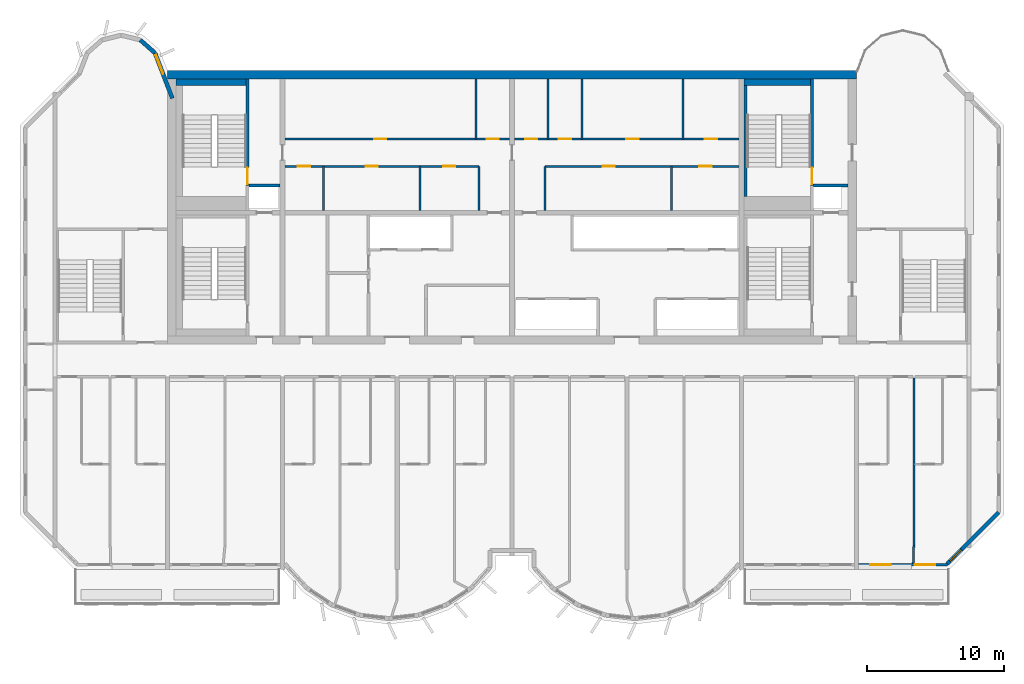
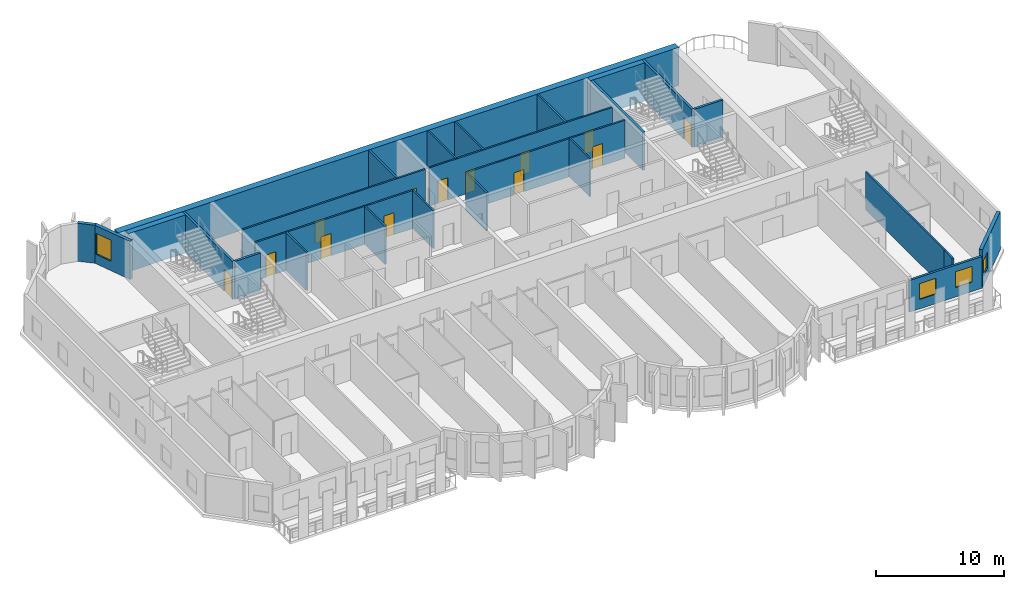
# One storey, part 7 of 12: 27 walls, 13 doors, 4 windows, 17 openings.
"""IFC4 building model written with IfcOpenShell, lengths in metres."""

from ifc_helpers import new_model, si_unit, direction, frame, frame_2d, origin, place, context, subcontext, project, spatial, rectangle, extrude, source, transform, mapped, material, layer, layer_set, type_object, element, fill, save


model = new_model("IFC4")

# Units and contexts
model_context = context("Model", 3, precision=1e-05, world=origin(), true_north=direction((0.0, 1.0)))
body_context = subcontext(model_context, "Body", "Model", "MODEL_VIEW")
ifc_project = project(units=[si_unit("LENGTHUNIT", "METRE"), si_unit("AREAUNIT", "SQUARE_METRE"), si_unit("VOLUMEUNIT", "CUBIC_METRE"), si_unit("PLANEANGLEUNIT", "RADIAN"), si_unit("MASSUNIT", "GRAM", prefix="KILO")], contexts=[model_context])

# Site, building, storey
site_placement = place(None, origin())
site = spatial("IfcSite", under=ifc_project, at=site_placement, CompositionType="ELEMENT")
building_placement = place(site_placement, origin())
building = spatial("IfcBuilding", under=site, at=building_placement, Name="Vanashikhar Sky Hotel", CompositionType="ELEMENT")
storey_placement = place(building_placement, frame((0.0, 0.0, 237.39990234375)))
storey = spatial("IfcBuildingStorey", under=building, at=storey_placement, Name="L57", CompositionType="ELEMENT", Elevation=237.39990234375)

# Wall
ifc_material_1 = material(Name="Concrete M60", Category="concrete")
ifc_layer_1 = layer(ifc_material_1, 0.60009765625)
ifc_layer_set_1 = layer_set([ifc_layer_1], Name="RC core shell wall 600 Concrete M60")
wall_type_1 = type_object("IfcWallType", Name="RC core shell wall 600 Concrete M60", PredefinedType="SHEAR", material=ifc_layer_set_1)
shared_shape_1 = source(origin(), body_context, "Body", "SweptSolid", [
    extrude(rectangle(XDim=50.400146484375, YDim=0.60009765625, at=frame_2d((25.2001953125, 0.0))), origin(), (0.0, 0.0, 1.0), 3.6201171875),
])
wall_1_placement = place(storey_placement, frame((25.199951171875, 41.699951171875, 0.0), z_axis=(0.0, 0.0, 1.0), x_axis=(1.0, 0.0, 0.0)))
element("IfcWall", 1, at=wall_1_placement, inside=storey, type_object=wall_type_1, Name="KW-L57-KN", PredefinedType="SHEAR", context=body_context, shape_type="MappedRepresentation", body=[
    mapped(shared_shape_1, transform((0.0, 0.0, 0.0), scale=1.0)),
])

# Wall, openings, windows
ifc_material_2 = material(Name="Concrete M50", Category="concrete")
ifc_layer_2 = layer(ifc_material_2, 0.199951171875)
ifc_layer_set_2 = layer_set([ifc_layer_2], Name="Front window wall 200")
wall_type_2 = type_object("IfcWallType", Name="Front window wall 200", PredefinedType="SOLIDWALL", material=ifc_layer_set_2)
shared_shape_2 = source(origin(), body_context, "Body", "SweptSolid", [
    extrude(rectangle(XDim=6.5048828125, YDim=0.199951171875, at=frame_2d((3.25244140625, 0.0))), origin(), (0.0, 0.0, 1.0), 3.02001953125),
])
wall_2_placement = place(storey_placement, frame((75.75, 5.85009765625, 0.0), z_axis=(0.0, 0.0, 1.0), x_axis=(1.0, 0.0, 0.0)))
wall_2 = element("IfcWall", 2, at=wall_2_placement, inside=storey, type_object=wall_type_2, Name="Front window wall", PredefinedType="SOLIDWALL", context=body_context, shape_type="MappedRepresentation", body=[
    mapped(shared_shape_2, transform((0.0, 0.0, 0.0), scale=1.0)),
])
shared_shape_3 = source(origin(), body_context, "Body", "SweptSolid", [
    extrude(rectangle(XDim=1.5, YDim=1.5, at=frame_2d((0.75, 0.75))), frame((0.0, 0.10986328125, 0.0), z_axis=(0.0, -1.0, 0.0), x_axis=(1.0, 0.0, 0.0)), (0.0, 0.0, 1.0), 0.219970703125),
])
opening_1_placement = place(wall_2_placement, frame((0.876220703125, 0.0, 0.89990234375)))
opening_1 = element("IfcOpeningElement", 3, at=opening_1_placement, cuts=wall_2, Name="Opening WN-1", PredefinedType="OPENING", context=body_context, shape_type="MappedRepresentation", body=[
    mapped(shared_shape_3, transform((0.0, 0.0, 0.0), scale=1.0)),
])
opening_2_placement = place(wall_2_placement, frame((4.128662109375, 0.0, 0.89990234375)))
opening_2 = element("IfcOpeningElement", 4, at=opening_2_placement, cuts=wall_2, Name="Opening WN-1", PredefinedType="OPENING", context=body_context, shape_type="MappedRepresentation", body=[
    mapped(shared_shape_3, transform((0.0, 0.0, 0.0), scale=1.0)),
])
ifc_material_3 = material(Name="Glass", Category="glass")
window_type_1 = type_object("IfcWindowType", Name="Window 1500 x 1500", PartitioningType="SINGLE_PANEL", PredefinedType="WINDOW", material=ifc_material_3)
shared_shape_4 = source(origin(), body_context, "Body", "SweptSolid", [
    extrude(rectangle(XDim=1.5, YDim=1.5, at=frame_2d((0.75, 0.75))), frame((0.0, 0.030029296875, 0.0), z_axis=(0.0, -1.0, 0.0), x_axis=(1.0, 0.0, 0.0)), (0.0, 0.0, 1.0), 0.06005859375),
])
window_1_placement = place(opening_1_placement, origin())
window_1 = element("IfcWindow", 5, at=window_1_placement, inside=storey, type_object=window_type_1, Name="Window WN-1", OverallHeight=1.5, OverallWidth=1.5, PartitioningType="SINGLE_PANEL", PredefinedType="WINDOW", context=body_context, shape_type="MappedRepresentation", body=[
    mapped(shared_shape_4, transform((0.0, 0.0, 0.0), scale=1.0)),
])
fill(opening_1, window_1)
window_2_placement = place(opening_2_placement, origin())
window_2 = element("IfcWindow", 6, at=window_2_placement, inside=storey, type_object=window_type_1, Name="Window WN-1", OverallHeight=1.5, OverallWidth=1.5, PartitioningType="SINGLE_PANEL", PredefinedType="WINDOW", context=body_context, shape_type="MappedRepresentation", body=[
    mapped(shared_shape_4, transform((0.0, 0.0, 0.0), scale=1.0)),
])
fill(opening_2, window_2)

# Wall, opening, window
ifc_layer_3 = layer(ifc_material_2, 0.300048828125)
ifc_layer_set_3 = layer_set([ifc_layer_3], Name="Lobe wall 300")
wall_type_3 = type_object("IfcWallType", Name="Lobe wall 300", PredefinedType="SOLIDWALL", material=ifc_layer_set_3)
shared_shape_5 = source(origin(), body_context, "Body", "SweptSolid", [
    extrude(rectangle(XDim=5.32568359375, YDim=0.300048828125, at=frame_2d((2.662841796875, 0.0))), origin(), (0.0, 0.0, 1.0), 3.6201171875),
])
wall_3_placement = place(storey_placement, frame((82.234375, 5.89990234375, 0.0), z_axis=(0.0, 0.0, 1.0), x_axis=(0.707083859269, 0.707129702361, 0.0)))
wall_3 = element("IfcWall", 7, at=wall_3_placement, inside=storey, type_object=wall_type_3, Name="Corner wall", PredefinedType="SOLIDWALL", context=body_context, shape_type="MappedRepresentation", body=[
    mapped(shared_shape_5, transform((0.0, 0.0, 0.0), scale=1.0)),
])
shared_shape_6 = source(origin(), body_context, "Body", "SweptSolid", [
    extrude(rectangle(XDim=1.199951171875, YDim=1.5, at=frame_2d((0.60009765625, 0.75))), frame((0.0, 0.16015625, 0.0), z_axis=(0.0, -1.0, 0.0), x_axis=(1.0, 0.0, 0.0)), (0.0, 0.0, 1.0), 0.320068359375),
])
opening_3_placement = place(wall_3_placement, frame((0.29248046875, 0.0, 0.89990234375)))
opening_3 = element("IfcOpeningElement", 8, at=opening_3_placement, cuts=wall_3, Name="Opening WN-3", PredefinedType="OPENING", context=body_context, shape_type="MappedRepresentation", body=[
    mapped(shared_shape_6, transform((0.0, 0.0, 0.0), scale=1.0)),
])
window_type_2 = type_object("IfcWindowType", Name="Corridor end window 1200 x 1500", PartitioningType="SINGLE_PANEL", PredefinedType="WINDOW", material=ifc_material_3)
shared_shape_7 = source(origin(), body_context, "Body", "SweptSolid", [
    extrude(rectangle(XDim=1.199951171875, YDim=1.5, at=frame_2d((0.60009765625, 0.75))), frame((0.0, 0.030029296875, 0.0), z_axis=(0.0, -1.0, 0.0), x_axis=(1.0, 0.0, 0.0)), (0.0, 0.0, 1.0), 0.06005859375),
])
window_3_placement = place(opening_3_placement, origin())
window_3 = element("IfcWindow", 9, at=window_3_placement, inside=storey, type_object=window_type_2, Name="Window WN-3", OverallHeight=1.5, OverallWidth=1.199951171875, PartitioningType="SINGLE_PANEL", PredefinedType="WINDOW", context=body_context, shape_type="MappedRepresentation", body=[
    mapped(shared_shape_7, transform((0.0, 0.0, 0.0), scale=1.0)),
])
fill(opening_3, window_3)

shared_shape_8 = source(origin(), body_context, "Body", "SweptSolid", [
    extrude(rectangle(XDim=3.55908203125, YDim=0.300048828125, at=frame_2d((1.779541015625, 0.0))), origin(), (0.0, 0.0, 1.0), 3.6201171875),
])
wall_4_placement = place(storey_placement, frame((25.550048828125, 39.968505859375, 0.0), z_axis=(0.0, 0.0, 1.0), x_axis=(-0.35779745313, 0.933799219604, 0.0)))
wall_4 = element("IfcWall", 10, at=wall_4_placement, inside=storey, type_object=wall_type_3, Name="Lobe wall", PredefinedType="SOLIDWALL", context=body_context, shape_type="MappedRepresentation", body=[
    mapped(shared_shape_8, transform((0.0, 0.0, 0.0), scale=1.0)),
])
shared_shape_9 = source(origin(), body_context, "Body", "SweptSolid", [
    extrude(rectangle(XDim=1.5, YDim=2.0, at=frame_2d((0.75, 1.0))), frame((0.0, 0.16015625, 0.0), z_axis=(0.0, -1.0, 0.0), x_axis=(1.0, 0.0, 0.0)), (0.0, 0.0, 1.0), 0.320068359375),
])
opening_4_placement = place(wall_4_placement, frame((1.9033203125, 0.0, 0.89990234375)))
opening_4 = element("IfcOpeningElement", 11, at=opening_4_placement, cuts=wall_4, Name="Opening WN-2", PredefinedType="OPENING", context=body_context, shape_type="MappedRepresentation", body=[
    mapped(shared_shape_9, transform((0.0, 0.0, 0.0), scale=1.0)),
])
window_type_3 = type_object("IfcWindowType", Name="Lobe window 1500 x 2000", PartitioningType="SINGLE_PANEL", PredefinedType="WINDOW", material=ifc_material_3)
shared_shape_10 = source(origin(), body_context, "Body", "SweptSolid", [
    extrude(rectangle(XDim=1.5, YDim=2.0, at=frame_2d((0.75, 1.0))), frame((0.0, 0.030029296875, 0.0), z_axis=(0.0, -1.0, 0.0), x_axis=(1.0, 0.0, 0.0)), (0.0, 0.0, 1.0), 0.06005859375),
])
window_4_placement = place(opening_4_placement, origin())
window_4 = element("IfcWindow", 12, at=window_4_placement, inside=storey, type_object=window_type_3, Name="Window WN-2", OverallHeight=2.0, OverallWidth=1.5, PartitioningType="SINGLE_PANEL", PredefinedType="WINDOW", context=body_context, shape_type="MappedRepresentation", body=[
    mapped(shared_shape_10, transform((0.0, 0.0, 0.0), scale=1.0)),
])
fill(opening_4, window_4)

# Walls
shared_shape_11 = source(origin(), body_context, "Body", "SweptSolid", [
    extrude(rectangle(XDim=1.440185546875, YDim=0.300048828125, at=frame_2d((0.72021484375, 0.0))), origin(), (0.0, 0.0, 1.0), 3.6201171875),
])
wall_5_placement = place(storey_placement, frame((24.276611328125, 43.2919921875, 0.0), z_axis=(0.0, 0.0, 1.0), x_axis=(-0.749649827867, 0.661834673902, 0.0)))
element("IfcWall", 13, at=wall_5_placement, inside=storey, type_object=wall_type_3, Name="Lobe wall", PredefinedType="SOLIDWALL", context=body_context, shape_type="MappedRepresentation", body=[
    mapped(shared_shape_11, transform((0.0, 0.0, 0.0), scale=1.0)),
])
ifc_material_4 = material(Name="Gypsum board partition")
ifc_layer_4 = layer(ifc_material_4, 0.14990234375)
ifc_layer_set_4 = layer_set([ifc_layer_4], Name="Service partition 150")
wall_type_4 = type_object("IfcWallType", Name="Service partition 150", PredefinedType="PARTITIONING", material=ifc_layer_set_4)
shared_shape_12 = source(origin(), body_context, "Body", "SweptSolid", [
    extrude(rectangle(XDim=3.22509765625, YDim=0.14990234375, at=frame_2d((1.612548828125, 0.0))), origin(), (0.0, 0.0, 1.0), 3.6201171875),
])
for number, where, z_axis, x_axis, name in (
    (14, (48.0, 31.77490234375, 0.0), (0.0, 0.0, 1.0), (0.0, 1.0, 0.0), "Service partition 150"),
    (15, (36.60498046875, 31.77490234375, 0.0), (0.0, 0.0, 1.0), (0.0, 1.0, 0.0), "Service partition 150"),
    (16, (43.679931640625, 31.77490234375, 0.0), (0.0, 0.0, 1.0), (0.0, 1.0, 0.0), "Service partition 150"),
    (17, (52.800048828125, 31.77490234375, 0.0), (0.0, 0.0, 1.0), (0.0, 1.0, 0.0), "Service partition 150"),
    (18, (62.072021484375, 31.77490234375, 0.0), (0.0, 0.0, 1.0), (0.0, 1.0, 0.0), "Service partition 150"),
):
    element("IfcWall", number, at=place(storey_placement, frame(where, z_axis=z_axis, x_axis=x_axis)), inside=storey, type_object=wall_type_4, Name=name, PredefinedType="PARTITIONING", context=body_context, shape_type="MappedRepresentation", body=[
        mapped(shared_shape_12, transform((0.0, 0.0, 0.0), scale=1.0)),
    ])

# Wall, openings, doors
shared_shape_13 = source(origin(), body_context, "Body", "SweptSolid", [
    extrude(rectangle(XDim=14.22509765625, YDim=0.14990234375, at=frame_2d((7.112548828125, 0.0))), origin(), (0.0, 0.0, 1.0), 3.6201171875),
])
wall_6_placement = place(storey_placement, frame((33.77490234375, 35.0, 0.0), z_axis=(0.0, 0.0, 1.0), x_axis=(1.0, 0.0, 0.0)))
wall_6 = element("IfcWall", 19, at=wall_6_placement, inside=storey, type_object=wall_type_4, Name="Service partition 150", PredefinedType="PARTITIONING", context=body_context, shape_type="MappedRepresentation", body=[
    mapped(shared_shape_13, transform((0.0, 0.0, 0.0), scale=1.0)),
])
shared_shape_14 = source(origin(), body_context, "Body", "SweptSolid", [
    extrude(rectangle(XDim=0.89990234375, YDim=2.10009765625, at=frame_2d((0.449951171875, 1.050048828125))), frame((0.0, 0.0849609375, 0.0), z_axis=(0.0, -1.0, 0.0), x_axis=(1.0, 0.0, 0.0)), (0.0, 0.0, 1.0), 0.169921875),
])
opening_5_placement = place(wall_6_placement, frame((0.965087890625, 0.0, 0.0)))
opening_5 = element("IfcOpeningElement", 20, at=opening_5_placement, cuts=wall_6, Name="Opening DC-4-A", PredefinedType="OPENING", context=body_context, shape_type="MappedRepresentation", body=[
    mapped(shared_shape_14, transform((0.0, 0.0, 0.0), scale=1.0)),
])
opening_6_placement = place(wall_6_placement, frame((5.9169921875, 0.0, 0.0)))
opening_6 = element("IfcOpeningElement", 21, at=opening_6_placement, cuts=wall_6, Name="Opening DC-4-A", PredefinedType="OPENING", context=body_context, shape_type="MappedRepresentation", body=[
    mapped(shared_shape_14, transform((0.0, 0.0, 0.0), scale=1.0)),
])
opening_7_placement = place(wall_6_placement, frame((11.576904296875, 0.0, 0.0)))
opening_7 = element("IfcOpeningElement", 22, at=opening_7_placement, cuts=wall_6, Name="Opening DC-4-A", PredefinedType="OPENING", context=body_context, shape_type="MappedRepresentation", body=[
    mapped(shared_shape_14, transform((0.0, 0.0, 0.0), scale=1.0)),
])
ifc_material_5 = material(Name="Steel", Category="steel")
door_type_1 = type_object("IfcDoorType", Name="Service door 900 FD60", OperationType="NOTDEFINED", PredefinedType="DOOR", material=ifc_material_5)
shared_shape_15 = source(origin(), body_context, "Body", "SweptSolid", [
    extrude(rectangle(XDim=0.89990234375, YDim=2.10009765625, at=frame_2d((0.449951171875, 1.050048828125))), frame((0.0, 0.02490234375, 0.0), z_axis=(0.0, -1.0, 0.0), x_axis=(1.0, 0.0, 0.0)), (0.0, 0.0, 1.0), 0.050048828125),
])
door_1_placement = place(opening_5_placement, origin())
door_1 = element("IfcDoor", 23, at=door_1_placement, inside=storey, type_object=door_type_1, Name="Service door 900 FD60", OperationType="SINGLE_SWING_LEFT", OverallHeight=2.10009765625, OverallWidth=0.89990234375, PredefinedType="DOOR", context=body_context, shape_type="MappedRepresentation", body=[
    mapped(shared_shape_15, transform((0.0, 0.0, 0.0), scale=1.0)),
])
fill(opening_5, door_1)
door_2_placement = place(opening_6_placement, origin())
door_2 = element("IfcDoor", 24, at=door_2_placement, inside=storey, type_object=door_type_1, Name="Service door 900 FD60", OperationType="SINGLE_SWING_LEFT", OverallHeight=2.10009765625, OverallWidth=0.89990234375, PredefinedType="DOOR", context=body_context, shape_type="MappedRepresentation", body=[
    mapped(shared_shape_15, transform((0.0, 0.0, 0.0), scale=1.0)),
])
fill(opening_6, door_2)
door_3_placement = place(opening_7_placement, origin())
door_3 = element("IfcDoor", 25, at=door_3_placement, inside=storey, type_object=door_type_1, Name="Service door 900 FD60", OperationType="SINGLE_SWING_LEFT", OverallHeight=2.10009765625, OverallWidth=0.89990234375, PredefinedType="DOOR", context=body_context, shape_type="MappedRepresentation", body=[
    mapped(shared_shape_15, transform((0.0, 0.0, 0.0), scale=1.0)),
])
fill(opening_7, door_3)

shared_shape_16 = source(origin(), body_context, "Body", "SweptSolid", [
    extrude(rectangle(XDim=16.4501953125, YDim=0.14990234375, at=frame_2d((8.22509765625, 0.0))), origin(), (0.0, 0.0, 1.0), 3.6201171875),
])
wall_7_placement = place(storey_placement, frame((33.77490234375, 37.0, 0.0), z_axis=(0.0, 0.0, 1.0), x_axis=(1.0, 0.0, 0.0)))
wall_7 = element("IfcWall", 26, at=wall_7_placement, inside=storey, type_object=wall_type_4, Name="Service partition 150", PredefinedType="PARTITIONING", context=body_context, shape_type="MappedRepresentation", body=[
    mapped(shared_shape_16, transform((0.0, 0.0, 0.0), scale=1.0)),
])
opening_8_placement = place(wall_7_placement, frame((6.541015625, 0.0, 0.0)))
opening_8 = element("IfcOpeningElement", 27, at=opening_8_placement, cuts=wall_7, Name="Opening DC-4-A", PredefinedType="OPENING", context=body_context, shape_type="MappedRepresentation", body=[
    mapped(shared_shape_14, transform((0.0, 0.0, 0.0), scale=1.0)),
])
opening_9_placement = place(wall_7_placement, frame((14.76611328125, 0.0, 0.0)))
opening_9 = element("IfcOpeningElement", 28, at=opening_9_placement, cuts=wall_7, Name="Opening DC-4-A", PredefinedType="OPENING", context=body_context, shape_type="MappedRepresentation", body=[
    mapped(shared_shape_14, transform((0.0, 0.0, 0.0), scale=1.0)),
])
door_4_placement = place(opening_8_placement, origin())
door_4 = element("IfcDoor", 29, at=door_4_placement, inside=storey, type_object=door_type_1, Name="Service door 900 FD60", OperationType="SINGLE_SWING_RIGHT", OverallHeight=2.10009765625, OverallWidth=0.89990234375, PredefinedType="DOOR", context=body_context, shape_type="MappedRepresentation", body=[
    mapped(shared_shape_15, transform((0.0, 0.0, 0.0), scale=1.0)),
])
fill(opening_8, door_4)
door_5_placement = place(opening_9_placement, origin())
door_5 = element("IfcDoor", 30, at=door_5_placement, inside=storey, type_object=door_type_1, Name="Service door 900 FD60", OperationType="SINGLE_SWING_LEFT", OverallHeight=2.10009765625, OverallWidth=0.89990234375, PredefinedType="DOOR", context=body_context, shape_type="MappedRepresentation", body=[
    mapped(shared_shape_15, transform((0.0, 0.0, 0.0), scale=1.0)),
])
fill(opening_9, door_5)

# Walls
shared_shape_17 = source(origin(), body_context, "Body", "SweptSolid", [
    extrude(rectangle(XDim=4.39990234375, YDim=0.14990234375, at=frame_2d((2.199951171875, 0.0))), origin(), (0.0, 0.0, 1.0), 3.6201171875),
])
for number, where, z_axis, x_axis, name in (
    (31, (47.758056640625, 37.0, 0.0), (0.0, 0.0, 1.0), (0.0, 1.0, 0.0), "Service partition 150"),
    (32, (62.912109375, 37.0, 0.0), (0.0, 0.0, 1.0), (0.0, 1.0, 0.0), "Service partition 150"),
    (33, (55.510009765625, 37.0, 0.0), (0.0, 0.0, 1.0), (0.0, 1.0, 0.0), "Service partition 150"),
    (34, (53.0419921875, 37.0, 0.0), (0.0, 0.0, 1.0), (0.0, 1.0, 0.0), "Service partition 150"),
):
    element("IfcWall", number, at=place(storey_placement, frame(where, z_axis=z_axis, x_axis=x_axis)), inside=storey, type_object=wall_type_4, Name=name, PredefinedType="PARTITIONING", context=body_context, shape_type="MappedRepresentation", body=[
        mapped(shared_shape_17, transform((0.0, 0.0, 0.0), scale=1.0)),
    ])

# Wall, openings, doors
shared_shape_18 = source(origin(), body_context, "Body", "SweptSolid", [
    extrude(rectangle(XDim=14.224853515625, YDim=0.14990234375, at=frame_2d((7.1123046875, 0.0))), origin(), (0.0, 0.0, 1.0), 3.6201171875),
])
wall_8_placement = place(storey_placement, frame((67.02490234375, 35.0, 0.0), z_axis=(0.0, 0.0, 1.0), x_axis=(-1.0, 0.0, 0.0)))
wall_8 = element("IfcWall", 35, at=wall_8_placement, inside=storey, type_object=wall_type_4, Name="Service partition 150", PredefinedType="PARTITIONING", context=body_context, shape_type="MappedRepresentation", body=[
    mapped(shared_shape_18, transform((0.0, 0.0, 0.0), scale=1.0)),
])
opening_10_placement = place(wall_8_placement, frame((2.02587890625, 0.0, 0.0)))
opening_10 = element("IfcOpeningElement", 36, at=opening_10_placement, cuts=wall_8, Name="Opening DC-4-A", PredefinedType="OPENING", context=body_context, shape_type="MappedRepresentation", body=[
    mapped(shared_shape_14, transform((0.0, 0.0, 0.0), scale=1.0)),
])
opening_11_placement = place(wall_8_placement, frame((9.10107421875, 0.0, 0.0)))
opening_11 = element("IfcOpeningElement", 37, at=opening_11_placement, cuts=wall_8, Name="Opening DC-4-A", PredefinedType="OPENING", context=body_context, shape_type="MappedRepresentation", body=[
    mapped(shared_shape_14, transform((0.0, 0.0, 0.0), scale=1.0)),
])
door_6_placement = place(opening_10_placement, origin())
door_6 = element("IfcDoor", 38, at=door_6_placement, inside=storey, type_object=door_type_1, Name="Service door 900 FD60", OperationType="SINGLE_SWING_LEFT", OverallHeight=2.10009765625, OverallWidth=0.89990234375, PredefinedType="DOOR", context=body_context, shape_type="MappedRepresentation", body=[
    mapped(shared_shape_15, transform((0.0, 0.0, 0.0), scale=1.0)),
])
fill(opening_10, door_6)
door_7_placement = place(opening_11_placement, origin())
door_7 = element("IfcDoor", 39, at=door_7_placement, inside=storey, type_object=door_type_1, Name="Service door 900 FD60", OperationType="SINGLE_SWING_RIGHT", OverallHeight=2.10009765625, OverallWidth=0.89990234375, PredefinedType="DOOR", context=body_context, shape_type="MappedRepresentation", body=[
    mapped(shared_shape_15, transform((0.0, 0.0, 0.0), scale=1.0)),
])
fill(opening_11, door_7)

shared_shape_19 = source(origin(), body_context, "Body", "SweptSolid", [
    extrude(rectangle(XDim=16.449951171875, YDim=0.14990234375, at=frame_2d((8.22509765625, 0.0))), origin(), (0.0, 0.0, 1.0), 3.6201171875),
])
wall_9_placement = place(storey_placement, frame((67.02490234375, 37.0, 0.0), z_axis=(0.0, 0.0, 1.0), x_axis=(-1.0, 0.0, 0.0)))
wall_9 = element("IfcWall", 40, at=wall_9_placement, inside=storey, type_object=wall_type_4, Name="Service partition 150", PredefinedType="PARTITIONING", context=body_context, shape_type="MappedRepresentation", body=[
    mapped(shared_shape_19, transform((0.0, 0.0, 0.0), scale=1.0)),
])
opening_12_placement = place(wall_9_placement, frame((1.60595703125, 0.0, 0.0)))
opening_12 = element("IfcOpeningElement", 41, at=opening_12_placement, cuts=wall_9, Name="Opening DC-4-A", PredefinedType="OPENING", context=body_context, shape_type="MappedRepresentation", body=[
    mapped(shared_shape_14, transform((0.0, 0.0, 0.0), scale=1.0)),
])
opening_13_placement = place(wall_9_placement, frame((7.364013671875, 0.0, 0.0)))
opening_13 = element("IfcOpeningElement", 42, at=opening_13_placement, cuts=wall_9, Name="Opening DC-4-A", PredefinedType="OPENING", context=body_context, shape_type="MappedRepresentation", body=[
    mapped(shared_shape_14, transform((0.0, 0.0, 0.0), scale=1.0)),
])
opening_14_placement = place(wall_9_placement, frame((12.299072265625, 0.0, 0.0)))
opening_14 = element("IfcOpeningElement", 43, at=opening_14_placement, cuts=wall_9, Name="Opening DC-4-A", PredefinedType="OPENING", context=body_context, shape_type="MappedRepresentation", body=[
    mapped(shared_shape_14, transform((0.0, 0.0, 0.0), scale=1.0)),
])
opening_15_placement = place(wall_9_placement, frame((14.76611328125, 0.0, 0.0)))
opening_15 = element("IfcOpeningElement", 44, at=opening_15_placement, cuts=wall_9, Name="Opening DC-4-A", PredefinedType="OPENING", context=body_context, shape_type="MappedRepresentation", body=[
    mapped(shared_shape_14, transform((0.0, 0.0, 0.0), scale=1.0)),
])
door_8_placement = place(opening_12_placement, origin())
door_8 = element("IfcDoor", 45, at=door_8_placement, inside=storey, type_object=door_type_1, Name="Service door 900 FD60", OperationType="SINGLE_SWING_RIGHT", OverallHeight=2.10009765625, OverallWidth=0.89990234375, PredefinedType="DOOR", context=body_context, shape_type="MappedRepresentation", body=[
    mapped(shared_shape_15, transform((0.0, 0.0, 0.0), scale=1.0)),
])
fill(opening_12, door_8)
door_9_placement = place(opening_13_placement, origin())
door_9 = element("IfcDoor", 46, at=door_9_placement, inside=storey, type_object=door_type_1, Name="Service door 900 FD60", OperationType="SINGLE_SWING_LEFT", OverallHeight=2.10009765625, OverallWidth=0.89990234375, PredefinedType="DOOR", context=body_context, shape_type="MappedRepresentation", body=[
    mapped(shared_shape_15, transform((0.0, 0.0, 0.0), scale=1.0)),
])
fill(opening_13, door_9)
door_10_placement = place(opening_14_placement, origin())
door_10 = element("IfcDoor", 47, at=door_10_placement, inside=storey, type_object=door_type_1, Name="Service door 900 FD60", OperationType="SINGLE_SWING_LEFT", OverallHeight=2.10009765625, OverallWidth=0.89990234375, PredefinedType="DOOR", context=body_context, shape_type="MappedRepresentation", body=[
    mapped(shared_shape_15, transform((0.0, 0.0, 0.0), scale=1.0)),
])
fill(opening_14, door_10)
door_11_placement = place(opening_15_placement, origin())
door_11 = element("IfcDoor", 48, at=door_11_placement, inside=storey, type_object=door_type_1, Name="Service door 900 FD60", OperationType="SINGLE_SWING_LEFT", OverallHeight=2.10009765625, OverallWidth=0.89990234375, PredefinedType="DOOR", context=body_context, shape_type="MappedRepresentation", body=[
    mapped(shared_shape_15, transform((0.0, 0.0, 0.0), scale=1.0)),
])
fill(opening_15, door_11)

# Wall
ifc_material_6 = material(Name="Concrete M40", Category="concrete")
ifc_layer_5 = layer(ifc_material_6, 0.199951171875)
ifc_layer_set_5 = layer_set([ifc_layer_5], Name="Shaft wall 200")
wall_type_5 = type_object("IfcWallType", Name="Shaft wall 200", PredefinedType="SOLIDWALL", material=ifc_layer_set_5)
shared_shape_20 = source(origin(), body_context, "Body", "SweptSolid", [
    extrude(rectangle(XDim=2.275146484375, YDim=0.199951171875, at=frame_2d((1.1376953125, 0.0))), origin(), (0.0, 0.0, 1.0), 3.6201171875),
])
wall_10_placement = place(storey_placement, frame((31.14990234375, 33.60009765625, 0.0), z_axis=(0.0, 0.0, 1.0), x_axis=(1.0, 0.0, 0.0)))
element("IfcWall", 49, at=wall_10_placement, inside=storey, type_object=wall_type_5, Name="Shaft wall 200", PredefinedType="SOLIDWALL", context=body_context, shape_type="MappedRepresentation", body=[
    mapped(shared_shape_20, transform((0.0, 0.0, 0.0), scale=1.0)),
])

# Wall, opening, door
ifc_layer_6 = layer(ifc_material_2, 0.199951171875)
ifc_layer_set_6 = layer_set([ifc_layer_6], Name="Stair wall 200")
wall_type_6 = type_object("IfcWallType", Name="Stair wall 200", PredefinedType="SOLIDWALL", material=ifc_layer_set_6)
shared_shape_21 = source(origin(), body_context, "Body", "SweptSolid", [
    extrude(rectangle(XDim=7.7998046875, YDim=0.199951171875, at=frame_2d((3.89990234375, 0.0))), origin(), (0.0, 0.0, 1.0), 3.6201171875),
])
wall_11_placement = place(storey_placement, frame((31.050048828125, 33.60009765625, 0.0), z_axis=(0.0, 0.0, 1.0), x_axis=(0.0, 1.0, 0.0)))
wall_11 = element("IfcWall", 50, at=wall_11_placement, inside=storey, type_object=wall_type_6, Name="Stair wall 200", PredefinedType="SOLIDWALL", context=body_context, shape_type="MappedRepresentation", body=[
    mapped(shared_shape_21, transform((0.0, 0.0, 0.0), scale=1.0)),
])
shared_shape_22 = source(origin(), body_context, "Body", "SweptSolid", [
    extrude(rectangle(XDim=1.199951171875, YDim=2.10009765625, at=frame_2d((0.60009765625, 1.050048828125))), frame((0.0, 0.10986328125, 0.0), z_axis=(0.0, -1.0, 0.0), x_axis=(1.0, 0.0, 0.0)), (0.0, 0.0, 1.0), 0.219970703125),
])
opening_16_placement = place(wall_11_placement, frame((0.10009765625, 0.0, 0.0)))
opening_16 = element("IfcOpeningElement", 51, at=opening_16_placement, cuts=wall_11, Name="Opening DC-1", PredefinedType="OPENING", context=body_context, shape_type="MappedRepresentation", body=[
    mapped(shared_shape_22, transform((0.0, 0.0, 0.0), scale=1.0)),
])
door_type_2 = type_object("IfcDoorType", Name="Stair door 1200 FD120", OperationType="NOTDEFINED", PredefinedType="DOOR", material=ifc_material_5)
shared_shape_23 = source(origin(), body_context, "Body", "SweptSolid", [
    extrude(rectangle(XDim=1.199951171875, YDim=2.10009765625, at=frame_2d((0.60009765625, 1.050048828125))), frame((0.0, 0.02490234375, 0.0), z_axis=(0.0, -1.0, 0.0), x_axis=(1.0, 0.0, 0.0)), (0.0, 0.0, 1.0), 0.050048828125),
])
door_12_placement = place(opening_16_placement, origin())
door_12 = element("IfcDoor", 52, at=door_12_placement, inside=storey, type_object=door_type_2, Name="Stair door 1200 FD120", OperationType="SINGLE_SWING_RIGHT", OverallHeight=2.10009765625, OverallWidth=1.199951171875, PredefinedType="DOOR", context=body_context, shape_type="MappedRepresentation", body=[
    mapped(shared_shape_23, transform((0.0, 0.0, 0.0), scale=1.0)),
])
fill(opening_16, door_12)

wall_12_placement = place(storey_placement, frame((72.35009765625, 33.60009765625, 0.0), z_axis=(0.0, 0.0, 1.0), x_axis=(0.0, 1.0, 0.0)))
wall_12 = element("IfcWall", 53, at=wall_12_placement, inside=storey, type_object=wall_type_6, Name="Stair wall 200", PredefinedType="SOLIDWALL", context=body_context, shape_type="MappedRepresentation", body=[
    mapped(shared_shape_21, transform((0.0, 0.0, 0.0), scale=1.0)),
])
opening_17_placement = place(wall_12_placement, frame((0.10009765625, 0.0, 0.0)))
opening_17 = element("IfcOpeningElement", 54, at=opening_17_placement, cuts=wall_12, Name="Opening DC-1", PredefinedType="OPENING", context=body_context, shape_type="MappedRepresentation", body=[
    mapped(shared_shape_22, transform((0.0, 0.0, 0.0), scale=1.0)),
])
door_13_placement = place(opening_17_placement, origin())
door_13 = element("IfcDoor", 55, at=door_13_placement, inside=storey, type_object=door_type_2, Name="Stair door 1200 FD120", OperationType="SINGLE_SWING_LEFT", OverallHeight=2.10009765625, OverallWidth=1.199951171875, PredefinedType="DOOR", context=body_context, shape_type="MappedRepresentation", body=[
    mapped(shared_shape_23, transform((0.0, 0.0, 0.0), scale=1.0)),
])
fill(opening_17, door_13)

# Walls
shared_shape_24 = source(origin(), body_context, "Body", "SweptSolid", [
    extrude(rectangle(XDim=2.550048828125, YDim=0.199951171875, at=frame_2d((1.27490234375, 0.0))), origin(), (0.0, 0.0, 1.0), 3.6201171875),
])
wall_13_placement = place(storey_placement, frame((72.449951171875, 33.60009765625, 0.0), z_axis=(0.0, 0.0, 1.0), x_axis=(1.0, 0.0, 0.0)))
element("IfcWall", 56, at=wall_13_placement, inside=storey, type_object=wall_type_5, Name="Shaft wall 200", PredefinedType="SOLIDWALL", context=body_context, shape_type="MappedRepresentation", body=[
    mapped(shared_shape_24, transform((0.0, 0.0, 0.0), scale=1.0)),
])
ifc_layer_7 = layer(ifc_material_2, 0.5)
ifc_layer_set_7 = layer_set([ifc_layer_7], Name="Stair infill wall 500")
wall_type_7 = type_object("IfcWallType", Name="Stair infill wall 500", PredefinedType="SOLIDWALL", material=ifc_layer_set_7)
shared_shape_25 = source(origin(), body_context, "Body", "SweptSolid", [
    extrude(rectangle(XDim=5.14990234375, YDim=0.5, at=frame_2d((2.574951171875, 0.0))), origin(), (0.0, 0.0, 1.0), 3.6201171875),
])
wall_14_placement = place(storey_placement, frame((25.800048828125, 41.14990234375, 0.0), z_axis=(0.0, 0.0, 1.0), x_axis=(1.0, 0.0, 0.0)))
element("IfcWall", 57, at=wall_14_placement, inside=storey, type_object=wall_type_7, Name="Stair infill wall 500", PredefinedType="SOLIDWALL", context=body_context, shape_type="MappedRepresentation", body=[
    mapped(shared_shape_25, transform((0.0, 0.0, 0.0), scale=1.0)),
])
shared_shape_26 = source(origin(), body_context, "Body", "SweptSolid", [
    extrude(rectangle(XDim=4.875, YDim=0.5, at=frame_2d((2.4375, 0.0))), origin(), (0.0, 0.0, 1.0), 3.6201171875),
])
wall_15_placement = place(storey_placement, frame((67.375, 41.14990234375, 0.0), z_axis=(0.0, 0.0, 1.0), x_axis=(1.0, 0.0, 0.0)))
element("IfcWall", 58, at=wall_15_placement, inside=storey, type_object=wall_type_7, Name="Stair infill wall 500", PredefinedType="SOLIDWALL", context=body_context, shape_type="MappedRepresentation", body=[
    mapped(shared_shape_26, transform((0.0, 0.0, 0.0), scale=1.0)),
])
ifc_layer_8 = layer(ifc_material_2, 0.22509765625)
ifc_layer_set_8 = layer_set([ifc_layer_8], Name="Stair infill wall 225")
wall_type_8 = type_object("IfcWallType", Name="Stair infill wall 225", PredefinedType="SOLIDWALL", material=ifc_layer_set_8)
shared_shape_27 = source(origin(), body_context, "Body", "SweptSolid", [
    extrude(rectangle(XDim=8.099853515625, YDim=0.22509765625, at=frame_2d((4.0498046875, 0.0))), origin(), (0.0, 0.0, 1.0), 3.6201171875),
])
wall_16_placement = place(storey_placement, frame((67.487060546875, 32.800048828125, 0.0), z_axis=(0.0, 0.0, 1.0), x_axis=(0.0, 1.0, 0.0)))
element("IfcWall", 59, at=wall_16_placement, inside=storey, type_object=wall_type_8, Name="Stair infill wall 225", PredefinedType="SOLIDWALL", context=body_context, shape_type="MappedRepresentation", body=[
    mapped(shared_shape_27, transform((0.0, 0.0, 0.0), scale=1.0)),
])
ifc_material_7 = material(Name="Gypsum plasterboard partition")
ifc_layer_9 = layer(ifc_material_7, 0.14990234375)
ifc_layer_set_9 = layer_set([ifc_layer_9], Name="Corridor and demising partition 150")
wall_type_9 = type_object("IfcWallType", Name="Corridor and demising partition 150", PredefinedType="PARTITIONING", material=ifc_layer_set_9)
shared_shape_28 = source(origin(), body_context, "Body", "SweptSolid", [
    extrude(rectangle(XDim=12.27490234375, YDim=0.14990234375, at=frame_2d((6.137451171875, 0.0))), origin(), (0.0, 0.0, 1.0), 3.6201171875),
])
wall_17_placement = place(storey_placement, frame((79.800048828125, 7.25, 0.0), z_axis=(0.0, 0.0, 1.0), x_axis=(0.0, 1.0, 0.0)))
element("IfcWall", 60, at=wall_17_placement, inside=storey, type_object=wall_type_9, Name="W-L57-PW038", PredefinedType="PARTITIONING", context=body_context, shape_type="MappedRepresentation", body=[
    mapped(shared_shape_28, transform((0.0, 0.0, 0.0), scale=1.0)),
])
shared_shape_29 = source(origin(), body_context, "Body", "SweptSolid", [
    extrude(rectangle(XDim=1.30078125, YDim=0.14990234375, at=frame_2d((0.650390625, 0.0))), origin(), (0.0, 0.0, 1.0), 3.6201171875),
])
wall_18_placement = place(storey_placement, frame((79.759033203125, 5.949951171875, 0.0), z_axis=(0.0, 0.0, 1.0), x_axis=(0.031533606063, 0.999502692187, 0.0)))
element("IfcWall", 61, at=wall_18_placement, inside=storey, type_object=wall_type_9, Name="W-L57-PW038B0", PredefinedType="PARTITIONING", context=body_context, shape_type="MappedRepresentation", body=[
    mapped(shared_shape_29, transform((0.0, 0.0, 0.0), scale=1.0)),
])

save(model, "model.ifc")
